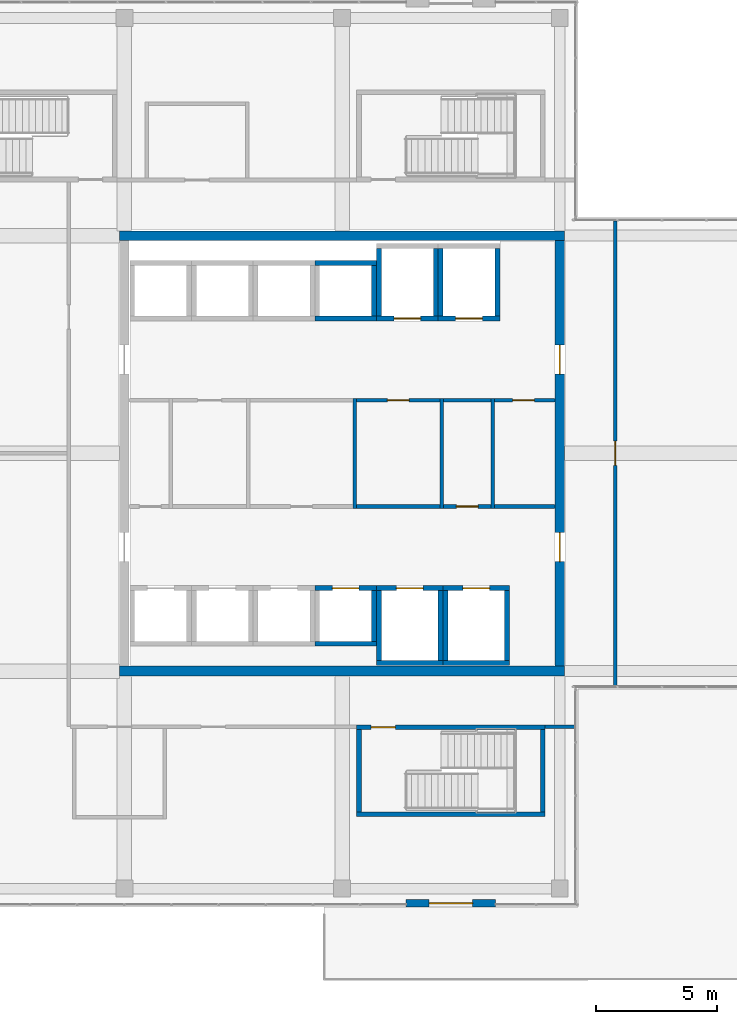
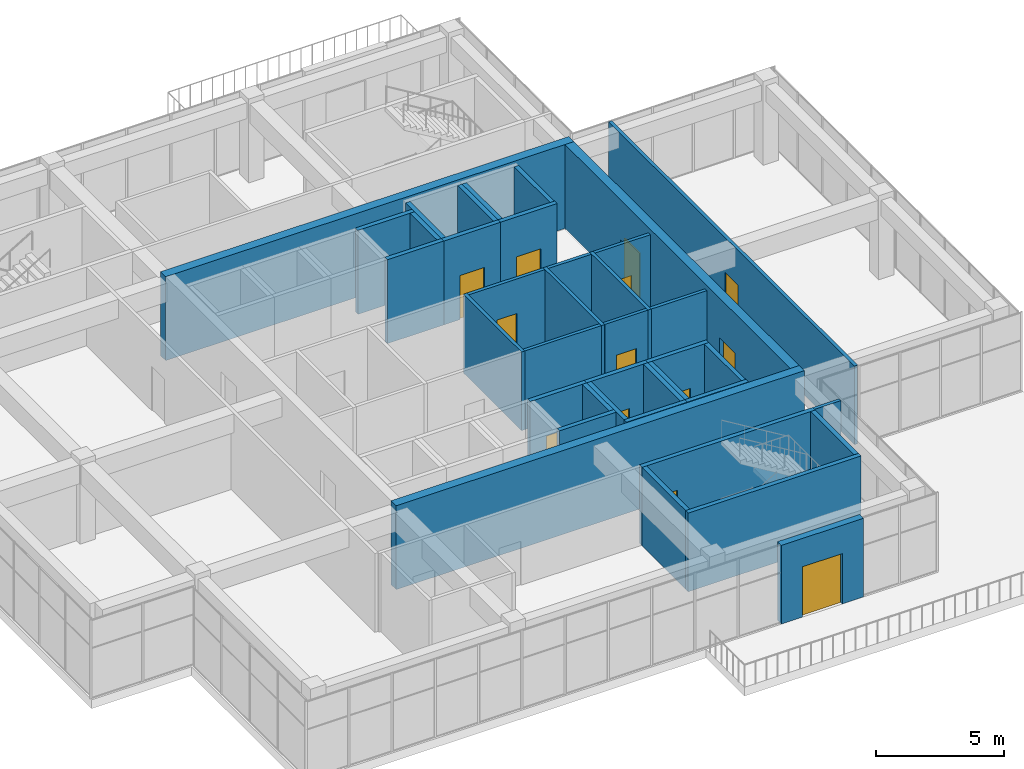
# One storey, part 45 of 49: 39 walls, 13 doors, 13 openings.
"""IFC4 building model written with IfcOpenShell, lengths in metres."""

from ifc_helpers import new_model, si_unit, direction, frame, frame_2d, origin, place, context, subcontext, project, spatial, rectangle, extrude, material, layer, layer_set, type_object, element, fill, save


model = new_model("IFC4")

# Units and contexts
model_context = context("Model", 3, precision=1e-05, world=origin(), true_north=direction((0.0, 1.0)))
body_context = subcontext(model_context, "Body", "Model", "MODEL_VIEW")
ifc_project = project(units=[si_unit("LENGTHUNIT", "METRE"), si_unit("AREAUNIT", "SQUARE_METRE"), si_unit("VOLUMEUNIT", "CUBIC_METRE"), si_unit("PLANEANGLEUNIT", "RADIAN"), si_unit("MASSUNIT", "GRAM", prefix="KILO")], contexts=[model_context])

# Site, building, storey
site_placement = place(None, origin())
site = spatial("IfcSite", under=ifc_project, at=site_placement, CompositionType="ELEMENT")
building_placement = place(site_placement, origin())
building = spatial("IfcBuilding", under=site, at=building_placement, Name="Tuart Plaza Theatre", CompositionType="ELEMENT")
storey_placement = place(building_placement, frame((0.0, 0.0, 29.5)))
storey = spatial("IfcBuildingStorey", under=building, at=storey_placement, Name="L07", CompositionType="ELEMENT", Elevation=29.5)

# Walls
ifc_material_1 = material(Name="Masonry block", Category="masonry")
ifc_layer_1 = layer(ifc_material_1, 0.14990234375)
ifc_layer_set_1 = layer_set([ifc_layer_1], Name="PARTITION BLK150 MASONRYB FRL -/120/120")
wall_type_1 = type_object("IfcWallType", Name="PARTITION BLK150 MASONRYB FRL -/120/120", PredefinedType="PARTITIONING", material=ifc_layer_set_1)
for number, where, z_axis, x_axis, name in (
    (1, (132.52490234375, 71.72509765625, 0.0), (0.0, 0.0, 1.0), (0.0, 1.0, 0.0), "P642"),
    (2, (136.125, 71.72509765625, 0.0), (0.0, 0.0, 1.0), (0.0, 1.0, 0.0), "P645"),
):
    element("IfcWall", number, at=place(storey_placement, frame(where, z_axis=z_axis, x_axis=x_axis)), inside=storey, type_object=wall_type_1, Name=name, PredefinedType="PARTITIONING", context=body_context, shape_type="SweptSolid", body=[
        extrude(rectangle(XDim=4.5498046875, YDim=0.14990234375, at=frame_2d((2.27490234375, 0.0))), origin(), (0.0, 0.0, 1.0), 3.75),
    ])
wall_1_placement = place(storey_placement, frame((132.60009765625, 71.800048828125, 0.0), z_axis=(0.0, 0.0, 1.0), x_axis=(1.0, 0.0, 0.0)))
element("IfcWall", 3, at=wall_1_placement, inside=storey, type_object=wall_type_1, Name="P646", PredefinedType="PARTITIONING", context=body_context, shape_type="SweptSolid", body=[
    extrude(rectangle(XDim=3.449951171875, YDim=0.14990234375, at=frame_2d((1.72509765625, 0.0))), origin(), (0.0, 0.0, 1.0), 3.75),
])

# Wall, opening, door
wall_2_placement = place(storey_placement, frame((132.60009765625, 76.199951171875, 0.0), z_axis=(0.0, 0.0, 1.0), x_axis=(1.0, 0.0, 0.0)))
wall_2 = element("IfcWall", 4, at=wall_2_placement, inside=storey, type_object=wall_type_1, Name="P647", PredefinedType="PARTITIONING", context=body_context, shape_type="SweptSolid", body=[
    extrude(rectangle(XDim=3.449951171875, YDim=0.14990234375, at=frame_2d((1.72509765625, 0.0))), origin(), (0.0, 0.0, 1.0), 3.75),
])
opening_1_placement = place(wall_2_placement, frame((1.27490234375, 0.0, 0.0)))
opening_1 = element("IfcOpeningElement", 5, at=opening_1_placement, cuts=wall_2, Name="Opening L07-021", PredefinedType="OPENING", context=body_context, shape_type="SweptSolid", body=[
    extrude(rectangle(XDim=0.89990234375, YDim=2.10009765625, at=frame_2d((0.449951171875, 1.050048828125))), frame((0.0, 0.0849609375, 0.0), z_axis=(0.0, -1.0, 0.0), x_axis=(1.0, 0.0, 0.0)), (0.0, 0.0, 1.0), 0.169921875),
])
ifc_material_2 = material(Name="Steel Grade 300", Category="steel")
door_type_1 = type_object("IfcDoorType", Name="DOOR 900x2100 steel single swing FRL -/120/30", OperationType="SINGLE_SWING_LEFT", PredefinedType="DOOR", material=ifc_material_2)
door_1_placement = place(opening_1_placement, frame((0.89990234375, 0.0, 0.0), z_axis=(0.0, 0.0, 1.0), x_axis=(-1.0, 0.0, 0.0)))
door_1 = element("IfcDoor", 6, at=door_1_placement, inside=storey, type_object=door_type_1, Name="L07-021", OperationType="SINGLE_SWING_LEFT", OverallHeight=2.10009765625, OverallWidth=0.89990234375, PredefinedType="DOOR", context=body_context, shape_type="SweptSolid", body=[
    extrude(rectangle(XDim=0.89990234375, YDim=2.10009765625, at=frame_2d((0.449951171875, 1.050048828125))), frame((0.0, 0.02490234375, 0.0), z_axis=(0.0, -1.0, 0.0), x_axis=(1.0, 0.0, 0.0)), (0.0, 0.0, 1.0), 0.050048828125),
])
fill(opening_1, door_1)

# Wall
wall_3_placement = place(storey_placement, frame((138.22509765625, 71.72509765625, 0.0), z_axis=(0.0, 0.0, 1.0), x_axis=(0.0, 1.0, 0.0)))
element("IfcWall", 7, at=wall_3_placement, inside=storey, type_object=wall_type_1, Name="P648", PredefinedType="PARTITIONING", context=body_context, shape_type="SweptSolid", body=[
    extrude(rectangle(XDim=4.5498046875, YDim=0.14990234375, at=frame_2d((2.27490234375, 0.0))), origin(), (0.0, 0.0, 1.0), 3.75),
])

# Wall, opening, door
wall_4_placement = place(storey_placement, frame((136.199951171875, 71.800048828125, 0.0), z_axis=(0.0, 0.0, 1.0), x_axis=(1.0, 0.0, 0.0)))
wall_4 = element("IfcWall", 8, at=wall_4_placement, inside=storey, type_object=wall_type_1, Name="P649", PredefinedType="PARTITIONING", context=body_context, shape_type="SweptSolid", body=[
    extrude(rectangle(XDim=1.949951171875, YDim=0.14990234375, at=frame_2d((0.97509765625, 0.0))), origin(), (0.0, 0.0, 1.0), 3.75),
])
opening_2_placement = place(wall_4_placement, frame((0.52490234375, 0.0, 0.0)))
opening_2 = element("IfcOpeningElement", 9, at=opening_2_placement, cuts=wall_4, Name="Opening L07-022", PredefinedType="OPENING", context=body_context, shape_type="SweptSolid", body=[
    extrude(rectangle(XDim=0.89990234375, YDim=2.10009765625, at=frame_2d((0.449951171875, 1.050048828125))), frame((0.0, 0.0849609375, 0.0), z_axis=(0.0, -1.0, 0.0), x_axis=(1.0, 0.0, 0.0)), (0.0, 0.0, 1.0), 0.169921875),
])
door_2_placement = place(opening_2_placement, origin())
door_2 = element("IfcDoor", 10, at=door_2_placement, inside=storey, type_object=door_type_1, Name="L07-022", OperationType="SINGLE_SWING_LEFT", OverallHeight=2.10009765625, OverallWidth=0.89990234375, PredefinedType="DOOR", context=body_context, shape_type="SweptSolid", body=[
    extrude(rectangle(XDim=0.89990234375, YDim=2.10009765625, at=frame_2d((0.449951171875, 1.050048828125))), frame((0.0, 0.02490234375, 0.0), z_axis=(0.0, -1.0, 0.0), x_axis=(1.0, 0.0, 0.0)), (0.0, 0.0, 1.0), 0.050048828125),
])
fill(opening_2, door_2)

# Walls
wall_5_placement = place(storey_placement, frame((136.199951171875, 76.199951171875, 0.0), z_axis=(0.0, 0.0, 1.0), x_axis=(1.0, 0.0, 0.0)))
element("IfcWall", 11, at=wall_5_placement, inside=storey, type_object=wall_type_1, Name="P650", PredefinedType="PARTITIONING", context=body_context, shape_type="SweptSolid", body=[
    extrude(rectangle(XDim=1.949951171875, YDim=0.14990234375, at=frame_2d((0.97509765625, 0.0))), origin(), (0.0, 0.0, 1.0), 3.75),
])
wall_6_placement = place(storey_placement, frame((138.300048828125, 71.800048828125, 0.0), z_axis=(0.0, 0.0, 1.0), x_axis=(1.0, 0.0, 0.0)))
element("IfcWall", 12, at=wall_6_placement, inside=storey, type_object=wall_type_1, Name="P651", PredefinedType="PARTITIONING", context=body_context, shape_type="SweptSolid", body=[
    extrude(rectangle(XDim=2.5, YDim=0.14990234375, at=frame_2d((1.25, 0.0))), origin(), (0.0, 0.0, 1.0), 3.75),
])

# Wall, opening, door
wall_7_placement = place(storey_placement, frame((138.300048828125, 76.199951171875, 0.0), z_axis=(0.0, 0.0, 1.0), x_axis=(1.0, 0.0, 0.0)))
wall_7 = element("IfcWall", 13, at=wall_7_placement, inside=storey, type_object=wall_type_1, Name="P652", PredefinedType="PARTITIONING", context=body_context, shape_type="SweptSolid", body=[
    extrude(rectangle(XDim=2.5, YDim=0.14990234375, at=frame_2d((1.25, 0.0))), origin(), (0.0, 0.0, 1.0), 3.75),
])
opening_3_placement = place(wall_7_placement, frame((0.75, 0.0, 0.0)))
opening_3 = element("IfcOpeningElement", 14, at=opening_3_placement, cuts=wall_7, Name="Opening L07-023", PredefinedType="OPENING", context=body_context, shape_type="SweptSolid", body=[
    extrude(rectangle(XDim=0.89990234375, YDim=2.10009765625, at=frame_2d((0.449951171875, 1.050048828125))), frame((0.0, 0.0849609375, 0.0), z_axis=(0.0, -1.0, 0.0), x_axis=(1.0, 0.0, 0.0)), (0.0, 0.0, 1.0), 0.169921875),
])
door_3_placement = place(opening_3_placement, frame((0.89990234375, 0.0, 0.0), z_axis=(0.0, 0.0, 1.0), x_axis=(-1.0, 0.0, 0.0)))
door_3 = element("IfcDoor", 15, at=door_3_placement, inside=storey, type_object=door_type_1, Name="L07-023", OperationType="SINGLE_SWING_LEFT", OverallHeight=2.10009765625, OverallWidth=0.89990234375, PredefinedType="DOOR", context=body_context, shape_type="SweptSolid", body=[
    extrude(rectangle(XDim=0.89990234375, YDim=2.10009765625, at=frame_2d((0.449951171875, 1.050048828125))), frame((0.0, 0.02490234375, 0.0), z_axis=(0.0, -1.0, 0.0), x_axis=(1.0, 0.0, 0.0)), (0.0, 0.0, 1.0), 0.050048828125),
])
fill(opening_3, door_3)

# Wall
ifc_material_3 = material(Name="Masonry block", Category="masonry")
ifc_layer_2 = layer(ifc_material_3, 0.14990234375)
ifc_layer_set_2 = layer_set([ifc_layer_2], Name="PARTITION BLK150 MASONRYB FRL 120/-/-")
wall_type_2 = type_object("IfcWallType", Name="PARTITION BLK150 MASONRYB FRL 120/-/-", PredefinedType="PARTITIONING", material=ifc_layer_set_2)
wall_8_placement = place(storey_placement, frame((141.60009765625, 62.699951171875, 0.0), z_axis=(0.0, 0.0, 1.0), x_axis=(-1.0, 0.0, 0.0)))
element("IfcWall", 16, at=wall_8_placement, inside=storey, type_object=wall_type_2, Name="P655", PredefinedType="PARTITIONING", context=body_context, shape_type="SweptSolid", body=[
    extrude(rectangle(XDim=1.2001953125, YDim=0.14990234375, at=frame_2d((0.60009765625, 0.0))), origin(), (0.0, 0.0, 1.0), 3.75),
])

# Wall, opening, door
wall_9_placement = place(storey_placement, frame((143.300048828125, 83.60009765625, 0.0), z_axis=(0.0, 0.0, 1.0), x_axis=(0.0, -1.0, 0.0)))
wall_9 = element("IfcWall", 17, at=wall_9_placement, inside=storey, type_object=wall_type_2, Name="P656", PredefinedType="PARTITIONING", context=body_context, shape_type="SweptSolid", body=[
    extrude(rectangle(XDim=19.2001953125, YDim=0.14990234375, at=frame_2d((9.60009765625, 0.0))), origin(), (0.0, 0.0, 1.0), 3.75),
])
opening_4_placement = place(wall_9_placement, frame((9.10009765625, 0.0, 0.0)))
opening_4 = element("IfcOpeningElement", 18, at=opening_4_placement, cuts=wall_9, Name="Opening L07-027", PredefinedType="OPENING", context=body_context, shape_type="SweptSolid", body=[
    extrude(rectangle(XDim=1.0, YDim=2.10009765625, at=frame_2d((0.5, 1.050048828125))), frame((0.0, 0.0849609375, 0.0), z_axis=(0.0, -1.0, 0.0), x_axis=(1.0, 0.0, 0.0)), (0.0, 0.0, 1.0), 0.169921875),
])
ifc_material_4 = material(Name="Timber", Category="wood")
door_type_2 = type_object("IfcDoorType", Name="DOOR 1000x2100 timber single swing FRL -/60/30", OperationType="SINGLE_SWING_LEFT", PredefinedType="DOOR", material=ifc_material_4)
door_4_placement = place(opening_4_placement, origin())
door_4 = element("IfcDoor", 19, at=door_4_placement, inside=storey, type_object=door_type_2, Name="L07-027", OperationType="SINGLE_SWING_LEFT", OverallHeight=2.10009765625, OverallWidth=1.0, PredefinedType="DOOR", context=body_context, shape_type="SweptSolid", body=[
    extrude(rectangle(XDim=1.0, YDim=2.10009765625, at=frame_2d((0.5, 1.050048828125))), frame((0.0, 0.02490234375, 0.0), z_axis=(0.0, -1.0, 0.0), x_axis=(1.0, 0.0, 0.0)), (0.0, 0.0, 1.0), 0.050048828125),
])
fill(opening_4, door_4)

# Walls
ifc_material_5 = material(Name="Concrete N40 (40 MPa)", Category="concrete")
ifc_layer_3 = layer(ifc_material_5, 0.199951171875)
ifc_layer_set_3 = layer_set([ifc_layer_3], Name="SHEAR WALL RC200 FRL 120/120/120")
wall_type_3 = type_object("IfcWallType", Name="SHEAR WALL RC200 FRL 120/120/120", PredefinedType="SHEAR", material=ifc_layer_set_3)
wall_10_placement = place(storey_placement, frame((130.875, 66.125, 0.0), z_axis=(0.0, 0.0, 1.0), x_axis=(1.0, 0.0, 0.0)))
element("IfcWall", 20, at=wall_10_placement, inside=storey, type_object=wall_type_3, Name="W710", PredefinedType="SHEAR", context=body_context, shape_type="SweptSolid", body=[
    extrude(rectangle(XDim=2.550048828125, YDim=0.199951171875, at=frame_2d((1.27490234375, 0.0))), origin(), (0.0, 0.0, 1.0), 4.0),
])
wall_11_placement = place(storey_placement, frame((133.324951171875, 66.22509765625, 0.0), z_axis=(0.0, 0.0, 1.0), x_axis=(0.0, 1.0, 0.0)))
element("IfcWall", 21, at=wall_11_placement, inside=storey, type_object=wall_type_3, Name="W711", PredefinedType="SHEAR", context=body_context, shape_type="SweptSolid", body=[
    extrude(rectangle(XDim=2.099853515625, YDim=0.199951171875, at=frame_2d((1.0498046875, 0.0))), origin(), (0.0, 0.0, 1.0), 4.0),
])

# Wall, opening, door
wall_12_placement = place(storey_placement, frame((133.425048828125, 68.425048828125, 0.0), z_axis=(0.0, 0.0, 1.0), x_axis=(-1.0, 0.0, 0.0)))
wall_12 = element("IfcWall", 22, at=wall_12_placement, inside=storey, type_object=wall_type_3, Name="W712", PredefinedType="SHEAR", context=body_context, shape_type="SweptSolid", body=[
    extrude(rectangle(XDim=2.550048828125, YDim=0.199951171875, at=frame_2d((1.27490234375, 0.0))), origin(), (0.0, 0.0, 1.0), 4.0),
])
opening_5_placement = place(wall_12_placement, frame((0.72509765625, 0.0, 0.0)))
opening_5 = element("IfcOpeningElement", 23, at=opening_5_placement, cuts=wall_12, Name="Opening L07-006", PredefinedType="OPENING", context=body_context, shape_type="SweptSolid", body=[
    extrude(rectangle(XDim=1.10009765625, YDim=2.10009765625, at=frame_2d((0.550048828125, 1.050048828125))), frame((0.0, 0.10986328125, 0.0), z_axis=(0.0, -1.0, 0.0), x_axis=(1.0, 0.0, 0.0)), (0.0, 0.0, 1.0), 0.219970703125),
])
ifc_material_6 = material(Name="Steel Grade 300", Category="steel")
door_type_3 = type_object("IfcDoorType", Name="LANDING DOOR 1100x2100 steel sliding FRL -/120/30", OperationType="SLIDING_TO_LEFT", PredefinedType="DOOR", material=ifc_material_6)
door_5_placement = place(opening_5_placement, origin())
door_5 = element("IfcDoor", 24, at=door_5_placement, inside=storey, type_object=door_type_3, Name="L07-006", OperationType="SLIDING_TO_LEFT", OverallHeight=2.10009765625, OverallWidth=1.10009765625, PredefinedType="DOOR", context=body_context, shape_type="SweptSolid", body=[
    extrude(rectangle(XDim=1.10009765625, YDim=2.10009765625, at=frame_2d((0.550048828125, 1.050048828125))), frame((0.0, 0.02490234375, 0.0), z_axis=(0.0, -1.0, 0.0), x_axis=(1.0, 0.0, 0.0)), (0.0, 0.0, 1.0), 0.050048828125),
])
fill(opening_5, door_5)

# Walls
wall_13_placement = place(storey_placement, frame((130.875, 79.574951171875, 0.0), z_axis=(0.0, 0.0, 1.0), x_axis=(1.0, 0.0, 0.0)))
element("IfcWall", 25, at=wall_13_placement, inside=storey, type_object=wall_type_3, Name="W970", PredefinedType="SHEAR", context=body_context, shape_type="SweptSolid", body=[
    extrude(rectangle(XDim=2.550048828125, YDim=0.199951171875, at=frame_2d((1.27490234375, 0.0))), origin(), (0.0, 0.0, 1.0), 4.0),
])
wall_14_placement = place(storey_placement, frame((133.324951171875, 79.675048828125, 0.0), z_axis=(0.0, 0.0, 1.0), x_axis=(0.0, 1.0, 0.0)))
element("IfcWall", 26, at=wall_14_placement, inside=storey, type_object=wall_type_3, Name="W971", PredefinedType="SHEAR", context=body_context, shape_type="SweptSolid", body=[
    extrude(rectangle(XDim=2.099853515625, YDim=0.199951171875, at=frame_2d((1.0498046875, 0.0))), origin(), (0.0, 0.0, 1.0), 4.0),
])
wall_15_placement = place(storey_placement, frame((133.425048828125, 81.875, 0.0), z_axis=(0.0, 0.0, 1.0), x_axis=(-1.0, 0.0, 0.0)))
element("IfcWall", 27, at=wall_15_placement, inside=storey, type_object=wall_type_3, Name="W972", PredefinedType="SHEAR", context=body_context, shape_type="SweptSolid", body=[
    extrude(rectangle(XDim=2.550048828125, YDim=0.199951171875, at=frame_2d((1.27490234375, 0.0))), origin(), (0.0, 0.0, 1.0), 4.0),
])
wall_16_placement = place(storey_placement, frame((133.425048828125, 65.324951171875, 0.0), z_axis=(0.0, 0.0, 1.0), x_axis=(1.0, 0.0, 0.0)))
element("IfcWall", 28, at=wall_16_placement, inside=storey, type_object=wall_type_3, Name="W1042", PredefinedType="SHEAR", context=body_context, shape_type="SweptSolid", body=[
    extrude(rectangle(XDim=2.75, YDim=0.199951171875, at=frame_2d((1.375, 0.0))), origin(), (0.0, 0.0, 1.0), 4.0),
])
wall_17_placement = place(storey_placement, frame((136.074951171875, 65.425048828125, 0.0), z_axis=(0.0, 0.0, 1.0), x_axis=(0.0, 1.0, 0.0)))
element("IfcWall", 29, at=wall_17_placement, inside=storey, type_object=wall_type_3, Name="W1043", PredefinedType="SHEAR", context=body_context, shape_type="SweptSolid", body=[
    extrude(rectangle(XDim=2.89990234375, YDim=0.199951171875, at=frame_2d((1.449951171875, 0.0))), origin(), (0.0, 0.0, 1.0), 4.0),
])

# Wall, opening, door
wall_18_placement = place(storey_placement, frame((136.175048828125, 68.425048828125, 0.0), z_axis=(0.0, 0.0, 1.0), x_axis=(-1.0, 0.0, 0.0)))
wall_18 = element("IfcWall", 30, at=wall_18_placement, inside=storey, type_object=wall_type_3, Name="W1044", PredefinedType="SHEAR", context=body_context, shape_type="SweptSolid", body=[
    extrude(rectangle(XDim=2.75, YDim=0.199951171875, at=frame_2d((1.375, 0.0))), origin(), (0.0, 0.0, 1.0), 4.0),
])
opening_6_placement = place(wall_18_placement, frame((0.824951171875, 0.0, 0.0)))
opening_6 = element("IfcOpeningElement", 31, at=opening_6_placement, cuts=wall_18, Name="Opening L07-007", PredefinedType="OPENING", context=body_context, shape_type="SweptSolid", body=[
    extrude(rectangle(XDim=1.10009765625, YDim=2.10009765625, at=frame_2d((0.550048828125, 1.050048828125))), frame((0.0, 0.10986328125, 0.0), z_axis=(0.0, -1.0, 0.0), x_axis=(1.0, 0.0, 0.0)), (0.0, 0.0, 1.0), 0.219970703125),
])
door_6_placement = place(opening_6_placement, origin())
door_6 = element("IfcDoor", 32, at=door_6_placement, inside=storey, type_object=door_type_3, Name="L07-007", OperationType="SLIDING_TO_LEFT", OverallHeight=2.10009765625, OverallWidth=1.10009765625, PredefinedType="DOOR", context=body_context, shape_type="SweptSolid", body=[
    extrude(rectangle(XDim=1.10009765625, YDim=2.10009765625, at=frame_2d((0.550048828125, 1.050048828125))), frame((0.0, 0.02490234375, 0.0), z_axis=(0.0, -1.0, 0.0), x_axis=(1.0, 0.0, 0.0)), (0.0, 0.0, 1.0), 0.050048828125),
])
fill(opening_6, door_6)

# Walls
wall_19_placement = place(storey_placement, frame((133.52490234375, 68.324951171875, 0.0), z_axis=(0.0, 0.0, 1.0), x_axis=(0.0, -1.0, 0.0)))
element("IfcWall", 33, at=wall_19_placement, inside=storey, type_object=wall_type_3, Name="W1045", PredefinedType="SHEAR", context=body_context, shape_type="SweptSolid", body=[
    extrude(rectangle(XDim=2.89990234375, YDim=0.199951171875, at=frame_2d((1.449951171875, 0.0))), origin(), (0.0, 0.0, 1.0), 4.0),
])
wall_20_placement = place(storey_placement, frame((136.175048828125, 65.324951171875, 0.0), z_axis=(0.0, 0.0, 1.0), x_axis=(1.0, 0.0, 0.0)))
element("IfcWall", 34, at=wall_20_placement, inside=storey, type_object=wall_type_3, Name="W1118", PredefinedType="SHEAR", context=body_context, shape_type="SweptSolid", body=[
    extrude(rectangle(XDim=2.75, YDim=0.199951171875, at=frame_2d((1.375, 0.0))), origin(), (0.0, 0.0, 1.0), 4.0),
])
wall_21_placement = place(storey_placement, frame((138.824951171875, 65.425048828125, 0.0), z_axis=(0.0, 0.0, 1.0), x_axis=(0.0, 1.0, 0.0)))
element("IfcWall", 35, at=wall_21_placement, inside=storey, type_object=wall_type_3, Name="W1119", PredefinedType="SHEAR", context=body_context, shape_type="SweptSolid", body=[
    extrude(rectangle(XDim=2.89990234375, YDim=0.199951171875, at=frame_2d((1.449951171875, 0.0))), origin(), (0.0, 0.0, 1.0), 4.0),
])

# Wall, opening, door
wall_22_placement = place(storey_placement, frame((138.925048828125, 68.425048828125, 0.0), z_axis=(0.0, 0.0, 1.0), x_axis=(-1.0, 0.0, 0.0)))
wall_22 = element("IfcWall", 36, at=wall_22_placement, inside=storey, type_object=wall_type_3, Name="W1120", PredefinedType="SHEAR", context=body_context, shape_type="SweptSolid", body=[
    extrude(rectangle(XDim=2.75, YDim=0.199951171875, at=frame_2d((1.375, 0.0))), origin(), (0.0, 0.0, 1.0), 4.0),
])
opening_7_placement = place(wall_22_placement, frame((0.824951171875, 0.0, 0.0)))
opening_7 = element("IfcOpeningElement", 37, at=opening_7_placement, cuts=wall_22, Name="Opening L07-008", PredefinedType="OPENING", context=body_context, shape_type="SweptSolid", body=[
    extrude(rectangle(XDim=1.10009765625, YDim=2.10009765625, at=frame_2d((0.550048828125, 1.050048828125))), frame((0.0, 0.10986328125, 0.0), z_axis=(0.0, -1.0, 0.0), x_axis=(1.0, 0.0, 0.0)), (0.0, 0.0, 1.0), 0.219970703125),
])
door_7_placement = place(opening_7_placement, origin())
door_7 = element("IfcDoor", 38, at=door_7_placement, inside=storey, type_object=door_type_3, Name="L07-008", OperationType="SLIDING_TO_LEFT", OverallHeight=2.10009765625, OverallWidth=1.10009765625, PredefinedType="DOOR", context=body_context, shape_type="SweptSolid", body=[
    extrude(rectangle(XDim=1.10009765625, YDim=2.10009765625, at=frame_2d((0.550048828125, 1.050048828125))), frame((0.0, 0.02490234375, 0.0), z_axis=(0.0, -1.0, 0.0), x_axis=(1.0, 0.0, 0.0)), (0.0, 0.0, 1.0), 0.050048828125),
])
fill(opening_7, door_7)

# Wall
wall_23_placement = place(storey_placement, frame((136.27490234375, 68.324951171875, 0.0), z_axis=(0.0, 0.0, 1.0), x_axis=(0.0, -1.0, 0.0)))
element("IfcWall", 39, at=wall_23_placement, inside=storey, type_object=wall_type_3, Name="W1121", PredefinedType="SHEAR", context=body_context, shape_type="SweptSolid", body=[
    extrude(rectangle(XDim=2.89990234375, YDim=0.199951171875, at=frame_2d((1.449951171875, 0.0))), origin(), (0.0, 0.0, 1.0), 4.0),
])

# Wall, opening, door
wall_24_placement = place(storey_placement, frame((133.425048828125, 79.574951171875, 0.0), z_axis=(0.0, 0.0, 1.0), x_axis=(1.0, 0.0, 0.0)))
wall_24 = element("IfcWall", 40, at=wall_24_placement, inside=storey, type_object=wall_type_3, Name="W1194", PredefinedType="SHEAR", context=body_context, shape_type="SweptSolid", body=[
    extrude(rectangle(XDim=2.550048828125, YDim=0.199951171875, at=frame_2d((1.27490234375, 0.0))), origin(), (0.0, 0.0, 1.0), 4.0),
])
opening_8_placement = place(wall_24_placement, frame((0.72509765625, 0.0, 0.0)))
opening_8 = element("IfcOpeningElement", 41, at=opening_8_placement, cuts=wall_24, Name="Opening L07-009", PredefinedType="OPENING", context=body_context, shape_type="SweptSolid", body=[
    extrude(rectangle(XDim=1.10009765625, YDim=2.10009765625, at=frame_2d((0.550048828125, 1.050048828125))), frame((0.0, 0.10986328125, 0.0), z_axis=(0.0, -1.0, 0.0), x_axis=(1.0, 0.0, 0.0)), (0.0, 0.0, 1.0), 0.219970703125),
])
door_8_placement = place(opening_8_placement, origin())
door_8 = element("IfcDoor", 42, at=door_8_placement, inside=storey, type_object=door_type_3, Name="L07-009", OperationType="SLIDING_TO_LEFT", OverallHeight=2.10009765625, OverallWidth=1.10009765625, PredefinedType="DOOR", context=body_context, shape_type="SweptSolid", body=[
    extrude(rectangle(XDim=1.10009765625, YDim=2.10009765625, at=frame_2d((0.550048828125, 1.050048828125))), frame((0.0, 0.02490234375, 0.0), z_axis=(0.0, -1.0, 0.0), x_axis=(1.0, 0.0, 0.0)), (0.0, 0.0, 1.0), 0.050048828125),
])
fill(opening_8, door_8)

# Walls
for number, where, z_axis, x_axis, name in (
    (43, (135.875, 79.675048828125, 0.0), (0.0, 0.0, 1.0), (0.0, 1.0, 0.0), "W1195"),
    (44, (133.52490234375, 82.47509765625, 0.0), (0.0, 0.0, 1.0), (0.0, -1.0, 0.0), "W1197"),
):
    element("IfcWall", number, at=place(storey_placement, frame(where, z_axis=z_axis, x_axis=x_axis)), inside=storey, type_object=wall_type_3, Name=name, PredefinedType="SHEAR", context=body_context, shape_type="SweptSolid", body=[
        extrude(rectangle(XDim=2.800048828125, YDim=0.199951171875, at=frame_2d((1.39990234375, 0.0))), origin(), (0.0, 0.0, 1.0), 4.0),
    ])

# Wall, opening, door
wall_25_placement = place(storey_placement, frame((135.97509765625, 79.574951171875, 0.0), z_axis=(0.0, 0.0, 1.0), x_axis=(1.0, 0.0, 0.0)))
wall_25 = element("IfcWall", 45, at=wall_25_placement, inside=storey, type_object=wall_type_3, Name="W1270", PredefinedType="SHEAR", context=body_context, shape_type="SweptSolid", body=[
    extrude(rectangle(XDim=2.5498046875, YDim=0.199951171875, at=frame_2d((1.27490234375, 0.0))), origin(), (0.0, 0.0, 1.0), 4.0),
])
opening_9_placement = place(wall_25_placement, frame((0.72509765625, 0.0, 0.0)))
opening_9 = element("IfcOpeningElement", 46, at=opening_9_placement, cuts=wall_25, Name="Opening L07-010", PredefinedType="OPENING", context=body_context, shape_type="SweptSolid", body=[
    extrude(rectangle(XDim=1.10009765625, YDim=2.10009765625, at=frame_2d((0.550048828125, 1.050048828125))), frame((0.0, 0.10986328125, 0.0), z_axis=(0.0, -1.0, 0.0), x_axis=(1.0, 0.0, 0.0)), (0.0, 0.0, 1.0), 0.219970703125),
])
door_9_placement = place(opening_9_placement, origin())
door_9 = element("IfcDoor", 47, at=door_9_placement, inside=storey, type_object=door_type_3, Name="L07-010", OperationType="SLIDING_TO_LEFT", OverallHeight=2.10009765625, OverallWidth=1.10009765625, PredefinedType="DOOR", context=body_context, shape_type="SweptSolid", body=[
    extrude(rectangle(XDim=1.10009765625, YDim=2.10009765625, at=frame_2d((0.550048828125, 1.050048828125))), frame((0.0, 0.02490234375, 0.0), z_axis=(0.0, -1.0, 0.0), x_axis=(1.0, 0.0, 0.0)), (0.0, 0.0, 1.0), 0.050048828125),
])
fill(opening_9, door_9)

# Walls
for number, where, z_axis, x_axis, name in (
    (48, (138.425048828125, 79.675048828125, 0.0), (0.0, 0.0, 1.0), (0.0, 1.0, 0.0), "W1271"),
    (49, (136.074951171875, 82.47509765625, 0.0), (0.0, 0.0, 1.0), (0.0, -1.0, 0.0), "W1273"),
):
    element("IfcWall", number, at=place(storey_placement, frame(where, z_axis=z_axis, x_axis=x_axis)), inside=storey, type_object=wall_type_3, Name=name, PredefinedType="SHEAR", context=body_context, shape_type="SweptSolid", body=[
        extrude(rectangle(XDim=2.800048828125, YDim=0.199951171875, at=frame_2d((1.39990234375, 0.0))), origin(), (0.0, 0.0, 1.0), 4.0),
    ])
wall_26_placement = place(storey_placement, frame((132.60009765625, 59.074951171875, 0.0), z_axis=(0.0, 0.0, 1.0), x_axis=(1.0, 0.0, 0.0)))
element("IfcWall", 50, at=wall_26_placement, inside=storey, type_object=wall_type_3, Name="P404", PredefinedType="SHEAR", context=body_context, shape_type="SweptSolid", body=[
    extrude(rectangle(XDim=7.7998046875, YDim=0.199951171875, at=frame_2d((3.89990234375, 0.0))), origin(), (0.0, 0.0, 1.0), 3.75),
])
wall_27_placement = place(storey_placement, frame((140.300048828125, 59.175048828125, 0.0), z_axis=(0.0, 0.0, 1.0), x_axis=(0.0, 1.0, 0.0)))
element("IfcWall", 51, at=wall_27_placement, inside=storey, type_object=wall_type_3, Name="P405", PredefinedType="SHEAR", context=body_context, shape_type="SweptSolid", body=[
    extrude(rectangle(XDim=3.39990234375, YDim=0.199951171875, at=frame_2d((1.699951171875, 0.0))), origin(), (0.0, 0.0, 1.0), 3.75),
])

# Wall, opening, door
wall_28_placement = place(storey_placement, frame((140.39990234375, 62.675048828125, 0.0), z_axis=(0.0, 0.0, 1.0), x_axis=(-1.0, 0.0, 0.0)))
wall_28 = element("IfcWall", 52, at=wall_28_placement, inside=storey, type_object=wall_type_3, Name="P406", PredefinedType="SHEAR", context=body_context, shape_type="SweptSolid", body=[
    extrude(rectangle(XDim=7.7998046875, YDim=0.199951171875, at=frame_2d((3.89990234375, 0.0))), origin(), (0.0, 0.0, 1.0), 3.75),
])
opening_10_placement = place(wall_28_placement, frame((6.199951171875, 0.0, 0.0)))
opening_10 = element("IfcOpeningElement", 53, at=opening_10_placement, cuts=wall_28, Name="Opening L07-011", PredefinedType="OPENING", context=body_context, shape_type="SweptSolid", body=[
    extrude(rectangle(XDim=1.0, YDim=2.10009765625, at=frame_2d((0.5, 1.050048828125))), frame((0.0, 0.10986328125, 0.0), z_axis=(0.0, -1.0, 0.0), x_axis=(1.0, 0.0, 0.0)), (0.0, 0.0, 1.0), 0.219970703125),
])
ifc_material_7 = material(Name="Steel Grade 300", Category="steel")
door_type_4 = type_object("IfcDoorType", Name="DOOR 1000x2100 steel single swing FRL -/120/30", OperationType="SINGLE_SWING_LEFT", PredefinedType="DOOR", material=ifc_material_7)
door_10_placement = place(opening_10_placement, origin())
door_10 = element("IfcDoor", 54, at=door_10_placement, inside=storey, type_object=door_type_4, Name="L07-011", OperationType="SINGLE_SWING_LEFT", OverallHeight=2.10009765625, OverallWidth=1.0, PredefinedType="DOOR", context=body_context, shape_type="SweptSolid", body=[
    extrude(rectangle(XDim=1.0, YDim=2.10009765625, at=frame_2d((0.5, 1.050048828125))), frame((0.0, 0.02490234375, 0.0), z_axis=(0.0, -1.0, 0.0), x_axis=(1.0, 0.0, 0.0)), (0.0, 0.0, 1.0), 0.050048828125),
])
fill(opening_10, door_10)

# Walls
wall_29_placement = place(storey_placement, frame((132.699951171875, 62.574951171875, 0.0), z_axis=(0.0, 0.0, 1.0), x_axis=(0.0, -1.0, 0.0)))
element("IfcWall", 55, at=wall_29_placement, inside=storey, type_object=wall_type_3, Name="P407", PredefinedType="SHEAR", context=body_context, shape_type="SweptSolid", body=[
    extrude(rectangle(XDim=3.39990234375, YDim=0.199951171875, at=frame_2d((1.699951171875, 0.0))), origin(), (0.0, 0.0, 1.0), 3.75),
])
ifc_material_8 = material(Name="Concrete N50 (50 MPa)", Category="concrete")
ifc_layer_4 = layer(ifc_material_8, 0.39990234375)
ifc_layer_set_4 = layer_set([ifc_layer_4], Name="SHEAR WALL RC400 N50 FRL 120/120/120")
wall_type_4 = type_object("IfcWallType", Name="SHEAR WALL RC400 N50 FRL 120/120/120", PredefinedType="SHEAR", material=ifc_layer_set_4)
wall_30_placement = place(storey_placement, frame((122.800048828125, 65.0, 0.0), z_axis=(0.0, 0.0, 1.0), x_axis=(1.0, 0.0, 0.0)))
element("IfcWall", 56, at=wall_30_placement, inside=storey, type_object=wall_type_4, Name="W395", PredefinedType="SHEAR", context=body_context, shape_type="SweptSolid", body=[
    extrude(rectangle(XDim=18.39990234375, YDim=0.39990234375, at=frame_2d((9.199951171875, 0.0))), origin(), (0.0, 0.0, 1.0), 4.0),
])

# Wall, openings, doors
wall_31_placement = place(storey_placement, frame((141.0, 65.199951171875, 0.0), z_axis=(0.0, 0.0, 1.0), x_axis=(0.0, 1.0, 0.0)))
wall_31 = element("IfcWall", 57, at=wall_31_placement, inside=storey, type_object=wall_type_4, Name="W396", PredefinedType="SHEAR", context=body_context, shape_type="SweptSolid", body=[
    extrude(rectangle(XDim=17.60009765625, YDim=0.39990234375, at=frame_2d((8.800048828125, 0.0))), origin(), (0.0, 0.0, 1.0), 4.0),
])
opening_11_placement = place(wall_31_placement, frame((4.324951171875, 0.0, 0.0)))
opening_11 = element("IfcOpeningElement", 58, at=opening_11_placement, cuts=wall_31, Name="Opening L07-015", PredefinedType="OPENING", context=body_context, shape_type="SweptSolid", body=[
    extrude(rectangle(XDim=1.199951171875, YDim=2.10009765625, at=frame_2d((0.60009765625, 1.050048828125))), frame((0.0, 0.2099609375, 0.0), z_axis=(0.0, -1.0, 0.0), x_axis=(1.0, 0.0, 0.0)), (0.0, 0.0, 1.0), 0.419921875),
])
opening_12_placement = place(wall_31_placement, frame((12.074951171875, 0.0, 0.0)))
opening_12 = element("IfcOpeningElement", 59, at=opening_12_placement, cuts=wall_31, Name="Opening L07-017", PredefinedType="OPENING", context=body_context, shape_type="SweptSolid", body=[
    extrude(rectangle(XDim=1.199951171875, YDim=2.10009765625, at=frame_2d((0.60009765625, 1.050048828125))), frame((0.0, 0.2099609375, 0.0), z_axis=(0.0, -1.0, 0.0), x_axis=(1.0, 0.0, 0.0)), (0.0, 0.0, 1.0), 0.419921875),
])
ifc_material_9 = material(Name="Steel Grade 300", Category="steel")
door_type_5 = type_object("IfcDoorType", Name="DOOR 1200x2100 steel single swing FRL -/120/30", OperationType="SINGLE_SWING_LEFT", PredefinedType="DOOR", material=ifc_material_9)
door_11_placement = place(opening_11_placement, frame((1.199951171875, 0.0, 0.0), z_axis=(0.0, 0.0, 1.0), x_axis=(-1.0, 0.0, 0.0)))
door_11 = element("IfcDoor", 60, at=door_11_placement, inside=storey, type_object=door_type_5, Name="L07-015", OperationType="SINGLE_SWING_LEFT", OverallHeight=2.10009765625, OverallWidth=1.199951171875, PredefinedType="DOOR", context=body_context, shape_type="SweptSolid", body=[
    extrude(rectangle(XDim=1.199951171875, YDim=2.10009765625, at=frame_2d((0.60009765625, 1.050048828125))), frame((0.0, 0.02490234375, 0.0), z_axis=(0.0, -1.0, 0.0), x_axis=(1.0, 0.0, 0.0)), (0.0, 0.0, 1.0), 0.050048828125),
])
fill(opening_11, door_11)
door_12_placement = place(opening_12_placement, frame((1.199951171875, 0.0, 0.0), z_axis=(0.0, 0.0, 1.0), x_axis=(-1.0, 0.0, 0.0)))
door_12 = element("IfcDoor", 61, at=door_12_placement, inside=storey, type_object=door_type_5, Name="L07-017", OperationType="SINGLE_SWING_RIGHT", OverallHeight=2.10009765625, OverallWidth=1.199951171875, PredefinedType="DOOR", context=body_context, shape_type="SweptSolid", body=[
    extrude(rectangle(XDim=1.199951171875, YDim=2.10009765625, at=frame_2d((0.60009765625, 1.050048828125))), frame((0.0, 0.02490234375, 0.0), z_axis=(0.0, -1.0, 0.0), x_axis=(1.0, 0.0, 0.0)), (0.0, 0.0, 1.0), 0.050048828125),
])
fill(opening_12, door_12)

# Wall
wall_32_placement = place(storey_placement, frame((141.199951171875, 83.0, 0.0), z_axis=(0.0, 0.0, 1.0), x_axis=(-1.0, 0.0, 0.0)))
element("IfcWall", 62, at=wall_32_placement, inside=storey, type_object=wall_type_4, Name="W397", PredefinedType="SHEAR", context=body_context, shape_type="SweptSolid", body=[
    extrude(rectangle(XDim=18.39990234375, YDim=0.39990234375, at=frame_2d((9.199951171875, 0.0))), origin(), (0.0, 0.0, 1.0), 4.0),
])

# Wall, opening, door
ifc_material_10 = material(Name="Concrete N40 (40 MPa)", Category="concrete")
ifc_layer_5 = layer(ifc_material_10, 0.300048828125)
ifc_layer_set_5 = layer_set([ifc_layer_5], Name="WALL RC300 EXT clad")
wall_type_5 = type_object("IfcWallType", Name="WALL RC300 EXT clad", PredefinedType="SOLIDWALL", material=ifc_layer_set_5)
wall_33_placement = place(storey_placement, frame((134.64990234375, 55.39990234375, 0.0), z_axis=(0.0, 0.0, 1.0), x_axis=(1.0, 0.0, 0.0)))
wall_33 = element("IfcWall", 63, at=wall_33_placement, inside=storey, type_object=wall_type_5, Name="P127", PredefinedType="SOLIDWALL", context=body_context, shape_type="SweptSolid", body=[
    extrude(rectangle(XDim=3.7001953125, YDim=0.300048828125, at=frame_2d((1.85009765625, 0.0))), origin(), (0.0, 0.0, 1.0), 3.75),
])
opening_13_placement = place(wall_33_placement, frame((0.949951171875, 0.0, 0.0)))
opening_13 = element("IfcOpeningElement", 64, at=opening_13_placement, cuts=wall_33, Name="Opening L07-001", PredefinedType="OPENING", context=body_context, shape_type="SweptSolid", body=[
    extrude(rectangle(XDim=1.800048828125, YDim=2.39990234375, at=frame_2d((0.89990234375, 1.199951171875))), frame((0.0, 0.159912109375, 0.0), z_axis=(0.0, -1.0, 0.0), x_axis=(1.0, 0.0, 0.0)), (0.0, 0.0, 1.0), 0.320068359375),
])
ifc_material_11 = material(Name="Aluminium", Category="aluminium")
door_type_6 = type_object("IfcDoorType", Name="DOOR 1800x2400 aluminium double swing glazed", OperationType="DOUBLE_DOOR_SINGLE_SWING", PredefinedType="DOOR", material=ifc_material_11)
door_13_placement = place(opening_13_placement, frame((1.800048828125, 0.0, 0.0), z_axis=(0.0, 0.0, 1.0), x_axis=(-1.0, 0.0, 0.0)))
door_13 = element("IfcDoor", 65, at=door_13_placement, inside=storey, type_object=door_type_6, Name="L07-001", OperationType="DOUBLE_DOOR_SINGLE_SWING", OverallHeight=2.39990234375, OverallWidth=1.800048828125, PredefinedType="DOOR", context=body_context, shape_type="SweptSolid", body=[
    extrude(rectangle(XDim=1.800048828125, YDim=2.39990234375, at=frame_2d((0.89990234375, 1.199951171875))), frame((0.0, 0.02490234375, 0.0), z_axis=(0.0, -1.0, 0.0), x_axis=(1.0, 0.0, 0.0)), (0.0, 0.0, 1.0), 0.050048828125),
])
fill(opening_13, door_13)

save(model, "model.ifc")
